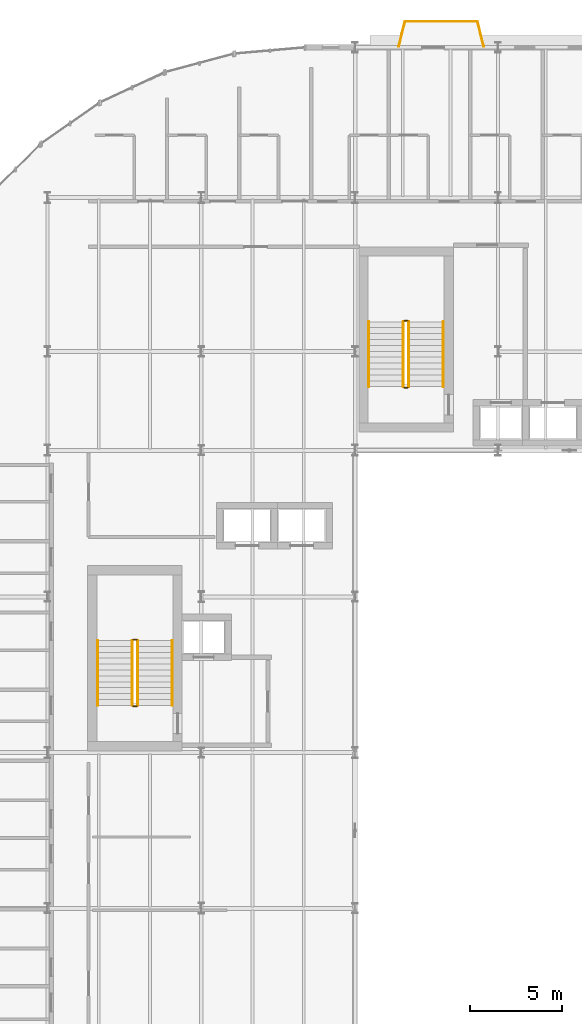
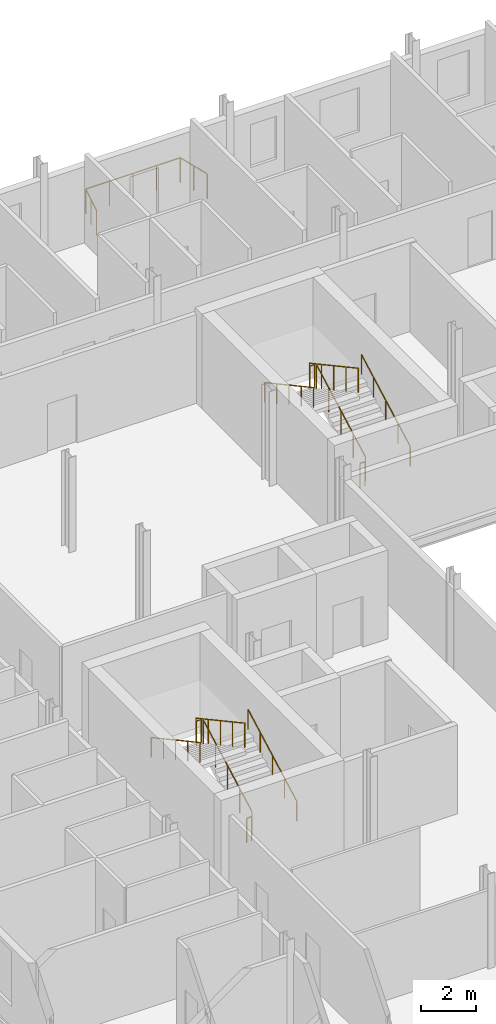
# One storey, part 42 of 45: 15 railings.
"""IFC4 building model written with IfcOpenShell, lengths in metres."""

import ifcopenshell
import ifcopenshell.guid

model = None  # the IFC model being written
_history = None  # IfcOwnerHistory: only IFC2X3 demands one
_inside = {}  # id of a spatial element -> (the spatial element, [elements in it])
_under = {}  # id of a project, library or spatial element -> (it, [spatial elements below it])
_declared = {}  # id of a project -> (the project, [libraries it declares])
_typed = {}  # id of a type object -> (the type object, [elements of that type])
_made_of = {}  # id of a material, layer set ... -> (it, [elements and type objects made of it])


def new_model(schema):
    """Start an empty IFC model of exactly this schema.

    Asked for "IFC4X3", IfcOpenShell would pick the latest addendum, in which some entities
    have other attributes; the version numbers below select the first issue.
    IFC2X3 requires an IfcOwnerHistory on every rooted entity: one is made here for all.
    """
    global model, _history
    if schema == "IFC4X3":
        model = ifcopenshell.file(schema_version=(4, 3, 0, 0))
    else:
        model = ifcopenshell.file(schema=schema)
    _inside.clear()
    _under.clear()
    _declared.clear()
    _typed.clear()
    _made_of.clear()
    _history = None
    if model.schema == "IFC2X3":
        org = make("IfcOrganization", Name="unknown")
        user = make(
            "IfcPersonAndOrganization",
            ThePerson=make("IfcPerson", FamilyName="unknown"),
            TheOrganization=org,
        )
        app = make(
            "IfcApplication",
            ApplicationDeveloper=org,
            Version="unknown",
            ApplicationFullName="unknown",
            ApplicationIdentifier="unknown",
        )
        _history = make(
            "IfcOwnerHistory",
            OwningUser=user,
            OwningApplication=app,
            ChangeAction="ADDED",
            CreationDate=0,
        )
    return model


def make(cls, **values):
    """One entity of the class cls with the attributes given. An attribute that is None is left unset."""
    return model.create_entity(
        cls, **{name: value for name, value in values.items() if value is not None}
    )


def rooted(cls, **values):
    """An entity with a GlobalId (a new one), such as an element, a storey or a relation."""
    return make(cls, GlobalId=ifcopenshell.guid.new(), OwnerHistory=_history, **values)


def si_unit(unit_type, name, prefix=None):
    """IfcSIUnit, for example si_unit("LENGTHUNIT", "METRE", prefix="MILLI")."""
    return make("IfcSIUnit", UnitType=unit_type, Prefix=prefix, Name=name)


def assignment(units):
    """IfcUnitAssignment: the units of a project."""
    return None if units is None else make("IfcUnitAssignment", Units=units)


def point(xyz):
    """IfcCartesianPoint."""
    return None if xyz is None else make("IfcCartesianPoint", Coordinates=xyz)


def direction(xyz):
    """IfcDirection."""
    return None if xyz is None else make("IfcDirection", DirectionRatios=xyz)


def frame(location, z_axis=None, x_axis=None):
    """IfcAxis2Placement3D, a coordinate frame: its origin and axes. An axis left out is left unset."""
    return make(
        "IfcAxis2Placement3D",
        Location=point(location),
        Axis=direction(z_axis),
        RefDirection=direction(x_axis),
    )


def frame_2d(location, x_axis=None):
    """IfcAxis2Placement2D, a coordinate frame in the plane: its origin and x axis."""
    return make(
        "IfcAxis2Placement2D", Location=point(location), RefDirection=direction(x_axis)
    )


def origin():
    """The frame at (0, 0, 0) with its axes left unset."""
    return frame((0.0, 0.0, 0.0))


def origin_2d():
    """The frame at (0, 0) in the plane with its x axis left unset."""
    return frame_2d((0.0, 0.0))


def place(relative_to, where):
    """IfcLocalPlacement: puts the frame where relative to a parent placement (None: the world)."""
    return make(
        "IfcLocalPlacement", PlacementRelTo=relative_to, RelativePlacement=where
    )


def context(
    kind, dimensions, precision=None, world=None, true_north=None, identifier=None
):
    """IfcGeometricRepresentationContext, for example the 3D "Model" context."""
    return make(
        "IfcGeometricRepresentationContext",
        ContextIdentifier=identifier,
        ContextType=kind,
        CoordinateSpaceDimension=dimensions,
        Precision=precision,
        WorldCoordinateSystem=world,
        TrueNorth=true_north,
    )


def subcontext(parent, identifier, kind, view, scale=None):
    """IfcGeometricRepresentationSubContext, for example "Body" below "Model"."""
    return make(
        "IfcGeometricRepresentationSubContext",
        ContextIdentifier=identifier,
        ContextType=kind,
        ParentContext=parent,
        TargetScale=scale,
        TargetView=view,
    )


def project(units=None, contexts=None):
    """IfcProject with its units and contexts."""
    return rooted(
        "IfcProject",
        Name="project",
        RepresentationContexts=contexts,
        UnitsInContext=assignment(units),
    )


def spatial(cls, under=None, at=None, **own):
    """A site, building, storey or space (cls), placed at a placement, below another one or the project."""
    s = rooted(cls, ObjectPlacement=at, **own)
    if under is not None:
        _under.setdefault(under.id(), (under, []))[1].append(s)
    return s


def profile(cls, at=None, kind="AREA", **sizes):
    """A parametric profile (cls). Its sizes go by their IFC names, for example OverallWidth=200.0."""
    return make(cls, ProfileType=kind, Position=at, **sizes)


def circle(**sizes):
    """IfcCircleProfileDef."""
    return profile("IfcCircleProfileDef", **sizes)


def extrude(swept, where, along, depth):
    """IfcExtrudedAreaSolid: the profile swept, set in the frame where, extruded along a direction by depth."""
    return make(
        "IfcExtrudedAreaSolid",
        SweptArea=swept,
        Position=where,
        ExtrudedDirection=direction(along),
        Depth=depth,
    )


def shape(context_of_items, identifier, shape_type, items):
    """IfcShapeRepresentation: the items that make up one representation, for example the "Body"."""
    return make(
        "IfcShapeRepresentation",
        ContextOfItems=context_of_items,
        RepresentationIdentifier=identifier,
        RepresentationType=shape_type,
        Items=items,
    )


def material(Name=None, Category=None):
    """IfcMaterial."""
    return make("IfcMaterial", Name=Name, Category=Category)


def made_of(thing, what):
    """Note that an element or type object is made of a material, layer set ...; save() writes the relation."""
    if what is not None:
        _made_of.setdefault(what.id(), (what, []))[1].append(thing)
    return thing


def type_object(cls, material=None, **own):
    """A type object (cls), such as IfcWallType, which elements share."""
    return made_of(rooted(cls, **own), material)


def element(
    cls,
    number,
    at=None,
    inside=None,
    cuts=None,
    type_object=None,
    material=None,
    context=None,
    identifier="Body",
    shape_type=None,
    held_by="IfcProductDefinitionShape",
    body=None,
    shapes=None,
    **own,
):
    """One element of the class cls, such as IfcWall. Its Tag is "e" and its number.

    at: its placement. inside: the storey or other place that contains it. cuts: it is an
    opening in that element (IfcRelVoidsElement). A single representation is given by context,
    identifier, shape_type and body (its items); several are given by shapes. held_by: the class
    of the entity that holds the representations. save() writes the other relations.
    """
    e = rooted(cls, Tag="e%d" % number, ObjectPlacement=at, **own)
    if body is not None:
        shapes = [shape(context, identifier, shape_type, body)]
    if shapes is not None:
        e.Representation = make(held_by, Representations=shapes)
    if inside is not None:
        _inside.setdefault(inside.id(), (inside, []))[1].append(e)
    if cuts is not None:
        rooted(
            "IfcRelVoidsElement", RelatingBuildingElement=cuts, RelatedOpeningElement=e
        )
    if type_object is not None:
        _typed.setdefault(type_object.id(), (type_object, []))[1].append(e)
    return made_of(e, material)


def aggregate(whole, parts):
    """IfcRelAggregates: a whole, such as a stair, and the parts it consists of."""
    return rooted("IfcRelAggregates", RelatingObject=whole, RelatedObjects=parts)


def save(model, path):
    """Write the relations noted so far, then the file.

    IfcRelAggregates (storeys below a building ...), IfcRelContainedInSpatialStructure (elements
    in a storey), IfcRelDefinesByType, IfcRelAssociatesMaterial and IfcRelDeclares: one each for
    every whole, place, type object, material and project.
    """
    for whole, parts in _under.values():
        aggregate(whole, parts)
    for where, things in _inside.values():
        rooted(
            "IfcRelContainedInSpatialStructure",
            RelatedElements=things,
            RelatingStructure=where,
        )
    for kind, things in _typed.values():
        rooted("IfcRelDefinesByType", RelatedObjects=things, RelatingType=kind)
    for what, things in _made_of.values():
        rooted("IfcRelAssociatesMaterial", RelatedObjects=things, RelatingMaterial=what)
    for by, libraries in _declared.values():
        rooted("IfcRelDeclares", RelatingContext=by, RelatedDefinitions=libraries)
    model.write(path)


model = new_model("IFC4")

# Units and contexts
model_context = context("Model", 3, precision=1e-05, world=origin(), true_north=direction((0.0, 1.0)))
body_context = subcontext(model_context, "Body", "Model", "MODEL_VIEW")
ifc_project = project(units=[si_unit("LENGTHUNIT", "METRE"), si_unit("AREAUNIT", "SQUARE_METRE"), si_unit("VOLUMEUNIT", "CUBIC_METRE"), si_unit("PLANEANGLEUNIT", "RADIAN"), si_unit("MASSUNIT", "GRAM", prefix="KILO")], contexts=[model_context])

# Site, building, storey
site_placement = place(None, origin())
site = spatial("IfcSite", under=ifc_project, at=site_placement, CompositionType="ELEMENT")
building_placement = place(site_placement, origin())
building = spatial("IfcBuilding", under=site, at=building_placement, Name="Sefraquen Railside Congress Hotel", CompositionType="ELEMENT")
storey_placement = place(building_placement, frame((0.0, 0.0, 20.39990234375)))
storey = spatial("IfcBuildingStorey", under=building, at=storey_placement, Name="L04", CompositionType="ELEMENT", Elevation=20.39990234375)

# Railings
ifc_material = material(Name="Patinated wrought architectural bronze", Category="metal")
railing_type_1 = type_object("IfcRailingType", Name="TRL-BAL-110", PredefinedType="BALUSTRADE", material=ifc_material)
railing_1_placement = place(storey_placement, frame((27.580078125, 118.050048828125, 0.0)))
element("IfcRailing", 1, at=railing_1_placement, inside=storey, type_object=railing_type_1, Name="Guest balcony Art Nouveau balustrade L04-01", PredefinedType="BALUSTRADE", context=body_context, shape_type="SweptSolid", body=[
    extrude(circle(Radius=0.02392578125, at=origin_2d()), frame((0.0, 0.0, 1.09619140625), z_axis=(0.240785102022, 0.970578453627, 0.0), x_axis=(-0.970578453627, 0.240785102022, 0.0)), (0.0, 0.0, 1.0), 1.411376953125),
    extrude(circle(Radius=0.02099609375, at=origin_2d()), origin(), (0.0, 0.0, 1.0), 1.072021484375),
    extrude(circle(Radius=0.02099609375, at=origin_2d()), frame((0.169921875, 0.68505859375, 0.0)), (0.0, 0.0, 1.0), 1.072021484375),
    extrude(circle(Radius=0.02099609375, at=origin_2d()), frame((0.33984375, 1.369873046875, 0.0)), (0.0, 0.0, 1.0), 1.072021484375),
])
railing_2_placement = place(storey_placement, frame((27.919921875, 119.419921875, 0.0)))
element("IfcRailing", 2, at=railing_2_placement, inside=storey, type_object=railing_type_1, Name="Guest balcony Art Nouveau balustrade L04-01", PredefinedType="BALUSTRADE", context=body_context, shape_type="SweptSolid", body=[
    extrude(circle(Radius=0.02392578125, at=origin_2d()), frame((0.0, 0.0, 1.09619140625), z_axis=(1.0, 0.0, 0.0), x_axis=(0.0, 1.0, 0.0)), (0.0, 0.0, 1.0), 3.9599609375),
    extrude(circle(Radius=0.02099609375, at=origin_2d()), origin(), (0.0, 0.0, 1.0), 1.072021484375),
    extrude(circle(Radius=0.02099609375, at=origin_2d()), frame((0.989990234375, 0.0, 0.0)), (0.0, 0.0, 1.0), 1.072021484375),
    extrude(circle(Radius=0.02099609375, at=origin_2d()), frame((1.97998046875, 0.0, 0.0)), (0.0, 0.0, 1.0), 1.072021484375),
    extrude(circle(Radius=0.02099609375, at=origin_2d()), frame((2.969970703125, 0.0, 0.0)), (0.0, 0.0, 1.0), 1.072021484375),
    extrude(circle(Radius=0.02099609375, at=origin_2d()), frame((3.9599609375, 0.0, 0.0)), (0.0, 0.0, 1.0), 1.072021484375),
])
railing_3_placement = place(storey_placement, frame((31.8798828125, 119.419921875, 0.0)))
element("IfcRailing", 3, at=railing_3_placement, inside=storey, type_object=railing_type_1, Name="Guest balcony Art Nouveau balustrade L04-01", PredefinedType="BALUSTRADE", context=body_context, shape_type="SweptSolid", body=[
    extrude(circle(Radius=0.02392578125, at=origin_2d()), frame((0.0, 0.0, 1.09619140625), z_axis=(0.240948040829, -0.970538016577, 0.0), x_axis=(0.970538016577, 0.240948040829, 0.0)), (0.0, 0.0, 1.0), 1.411376953125),
    extrude(circle(Radius=0.02099609375, at=origin_2d()), origin(), (0.0, 0.0, 1.0), 1.072021484375),
    extrude(circle(Radius=0.02099609375, at=origin_2d()), frame((0.169921875, -0.68505859375, 0.0)), (0.0, 0.0, 1.0), 1.072021484375),
    extrude(circle(Radius=0.02099609375, at=origin_2d()), frame((0.340087890625, -1.369873046875, 0.0)), (0.0, 0.0, 1.0), 1.072021484375),
])
railing_4_placement = place(storey_placement, frame((13.330078125, 82.080078125, 0.175048828125)))
element("IfcRailing", 4, at=railing_4_placement, inside=storey, type_object=railing_type_1, Name="L04 ST-H01 stair guard 1", PredefinedType="BALUSTRADE", context=body_context, shape_type="SweptSolid", body=[
    extrude(circle(Radius=0.02392578125, at=origin_2d()), frame((0.0, 0.0, 1.076171875), z_axis=(0.0, 0.878618985891, 0.477523483854), x_axis=(-1.0, 0.0, 0.0)), (0.0, 0.0, 1.0), 4.03125),
    extrude(circle(Radius=0.02099609375, at=origin_2d()), origin(), (0.0, 0.0, 1.0), 1.052001953125),
    extrude(circle(Radius=0.02099609375, at=origin_2d()), frame((0.0, 0.885498046875, 0.481201171875)), (0.0, 0.0, 1.0), 1.052001953125),
    extrude(circle(Radius=0.02099609375, at=origin_2d()), frame((0.0, 1.77099609375, 0.96240234375)), (0.0, 0.0, 1.0), 1.052001953125),
    extrude(circle(Radius=0.02099609375, at=origin_2d()), frame((0.0, 2.656494140625, 1.44384765625)), (0.0, 0.0, 1.0), 1.052001953125),
    extrude(circle(Radius=0.02099609375, at=origin_2d()), frame((0.0, 3.5419921875, 1.925048828125)), (0.0, 0.0, 1.0), 1.052001953125),
])
railing_5_placement = place(storey_placement, frame((13.280029296875, 85.672119140625, 2.10009765625)))
element("IfcRailing", 5, at=railing_5_placement, inside=storey, type_object=railing_type_1, Name="L04 ST-H01 stair guard 2", PredefinedType="BALUSTRADE", context=body_context, shape_type="SweptSolid", body=[
    extrude(circle(Radius=0.02392578125, at=origin_2d()), frame((0.0, 0.0, 1.076171875), z_axis=(-1.0, 0.0, 0.0), x_axis=(0.0, -1.0, 0.0)), (0.0, 0.0, 1.0), 0.199951171875),
    extrude(circle(Radius=0.02099609375, at=origin_2d()), origin(), (0.0, 0.0, 1.0), 1.052001953125),
    extrude(circle(Radius=0.02099609375, at=origin_2d()), frame((-0.199951171875, 0.0, 0.0)), (0.0, 0.0, 1.0), 1.052001953125),
])
railing_6_placement = place(storey_placement, frame((13.030029296875, 85.6220703125, 2.275146484375)))
element("IfcRailing", 6, at=railing_6_placement, inside=storey, type_object=railing_type_1, Name="L04 ST-H01 stair guard 3", PredefinedType="BALUSTRADE", context=body_context, shape_type="SweptSolid", body=[
    extrude(circle(Radius=0.02392578125, at=origin_2d()), frame((0.0, 0.0, 1.076171875), z_axis=(0.0, -0.878618985891, 0.477523483854), x_axis=(1.0, 0.0, 0.0)), (0.0, 0.0, 1.0), 4.03125),
    extrude(circle(Radius=0.02099609375, at=origin_2d()), origin(), (0.0, 0.0, 1.0), 1.052001953125),
    extrude(circle(Radius=0.02099609375, at=origin_2d()), frame((0.0, -0.885498046875, 0.481201171875)), (0.0, 0.0, 1.0), 1.052001953125),
    extrude(circle(Radius=0.02099609375, at=origin_2d()), frame((0.0, -1.77099609375, 0.96240234375)), (0.0, 0.0, 1.0), 1.052001953125),
    extrude(circle(Radius=0.02099609375, at=origin_2d()), frame((0.0, -2.656494140625, 1.44384765625)), (0.0, 0.0, 1.0), 1.052001953125),
    extrude(circle(Radius=0.02099609375, at=origin_2d()), frame((0.0, -3.5419921875, 1.925048828125)), (0.0, 0.0, 1.0), 1.052001953125),
])
railing_7_placement = place(storey_placement, frame((13.280029296875, 82.030029296875, 0.0)))
element("IfcRailing", 7, at=railing_7_placement, inside=storey, type_object=railing_type_1, Name="L04 ST-H01 stair guard 4", PredefinedType="BALUSTRADE", context=body_context, shape_type="SweptSolid", body=[
    extrude(circle(Radius=0.02392578125, at=origin_2d()), frame((0.0, 0.0, 1.076171875), z_axis=(-1.0, 0.0, 0.0), x_axis=(0.0, -1.0, 0.0)), (0.0, 0.0, 1.0), 0.199951171875),
    extrude(circle(Radius=0.02099609375, at=origin_2d()), origin(), (0.0, 0.0, 1.0), 1.052001953125),
    extrude(circle(Radius=0.02099609375, at=origin_2d()), frame((-0.199951171875, 0.0, 0.0)), (0.0, 0.0, 1.0), 1.052001953125),
])
railing_8_placement = place(storey_placement, frame((28.1298828125, 99.47998046875, 0.175048828125)))
element("IfcRailing", 8, at=railing_8_placement, inside=storey, type_object=railing_type_1, Name="L04 ST-H02 stair guard 1", PredefinedType="BALUSTRADE", context=body_context, shape_type="SweptSolid", body=[
    extrude(circle(Radius=0.02392578125, at=origin_2d()), frame((0.0, 0.0, 1.076171875), z_axis=(0.0, 0.878618985891, 0.477523483854), x_axis=(-1.0, 0.0, 0.0)), (0.0, 0.0, 1.0), 4.03125),
    extrude(circle(Radius=0.02099609375, at=origin_2d()), origin(), (0.0, 0.0, 1.0), 1.052001953125),
    extrude(circle(Radius=0.02099609375, at=origin_2d()), frame((0.0, 0.885498046875, 0.481201171875)), (0.0, 0.0, 1.0), 1.052001953125),
    extrude(circle(Radius=0.02099609375, at=origin_2d()), frame((0.0, 1.77099609375, 0.96240234375)), (0.0, 0.0, 1.0), 1.052001953125),
    extrude(circle(Radius=0.02099609375, at=origin_2d()), frame((0.0, 2.656494140625, 1.44384765625)), (0.0, 0.0, 1.0), 1.052001953125),
    extrude(circle(Radius=0.02099609375, at=origin_2d()), frame((0.0, 3.5419921875, 1.925048828125)), (0.0, 0.0, 1.0), 1.052001953125),
])
railing_9_placement = place(storey_placement, frame((28.080078125, 103.072021484375, 2.10009765625)))
element("IfcRailing", 9, at=railing_9_placement, inside=storey, type_object=railing_type_1, Name="L04 ST-H02 stair guard 2", PredefinedType="BALUSTRADE", context=body_context, shape_type="SweptSolid", body=[
    extrude(circle(Radius=0.02392578125, at=origin_2d()), frame((0.0, 0.0, 1.076171875), z_axis=(-1.0, 0.0, 0.0), x_axis=(0.0, -1.0, 0.0)), (0.0, 0.0, 1.0), 0.2001953125),
    extrude(circle(Radius=0.02099609375, at=origin_2d()), origin(), (0.0, 0.0, 1.0), 1.052001953125),
    extrude(circle(Radius=0.02099609375, at=origin_2d()), frame((-0.2001953125, 0.0, 0.0)), (0.0, 0.0, 1.0), 1.052001953125),
])
railing_10_placement = place(storey_placement, frame((27.830078125, 103.02197265625, 2.275146484375)))
element("IfcRailing", 10, at=railing_10_placement, inside=storey, type_object=railing_type_1, Name="L04 ST-H02 stair guard 3", PredefinedType="BALUSTRADE", context=body_context, shape_type="SweptSolid", body=[
    extrude(circle(Radius=0.02392578125, at=origin_2d()), frame((0.0, 0.0, 1.076171875), z_axis=(0.0, -0.878618985891, 0.477523483854), x_axis=(1.0, 0.0, 0.0)), (0.0, 0.0, 1.0), 4.03125),
    extrude(circle(Radius=0.02099609375, at=origin_2d()), origin(), (0.0, 0.0, 1.0), 1.052001953125),
    extrude(circle(Radius=0.02099609375, at=origin_2d()), frame((0.0, -0.885498046875, 0.481201171875)), (0.0, 0.0, 1.0), 1.052001953125),
    extrude(circle(Radius=0.02099609375, at=origin_2d()), frame((0.0, -1.77099609375, 0.96240234375)), (0.0, 0.0, 1.0), 1.052001953125),
    extrude(circle(Radius=0.02099609375, at=origin_2d()), frame((0.0, -2.656494140625, 1.44384765625)), (0.0, 0.0, 1.0), 1.052001953125),
    extrude(circle(Radius=0.02099609375, at=origin_2d()), frame((0.0, -3.5419921875, 1.925048828125)), (0.0, 0.0, 1.0), 1.052001953125),
])
railing_11_placement = place(storey_placement, frame((28.080078125, 99.429931640625, 0.0)))
element("IfcRailing", 11, at=railing_11_placement, inside=storey, type_object=railing_type_1, Name="L04 ST-H02 stair guard 4", PredefinedType="BALUSTRADE", context=body_context, shape_type="SweptSolid", body=[
    extrude(circle(Radius=0.02392578125, at=origin_2d()), frame((0.0, 0.0, 1.076171875), z_axis=(-1.0, 0.0, 0.0), x_axis=(0.0, -1.0, 0.0)), (0.0, 0.0, 1.0), 0.2001953125),
    extrude(circle(Radius=0.02099609375, at=origin_2d()), origin(), (0.0, 0.0, 1.0), 1.052001953125),
    extrude(circle(Radius=0.02099609375, at=origin_2d()), frame((-0.2001953125, 0.0, 0.0)), (0.0, 0.0, 1.0), 1.052001953125),
])
railing_type_2 = type_object("IfcRailingType", Name="TRL-HR-090", PredefinedType="HANDRAIL", material=ifc_material)
railing_12_placement = place(storey_placement, frame((15.2099609375, 82.080078125, 0.175048828125)))
element("IfcRailing", 12, at=railing_12_placement, inside=storey, type_object=railing_type_2, Name="L04 ST-H01 stair handrail 1", PredefinedType="HANDRAIL", context=body_context, shape_type="SweptSolid", body=[
    extrude(circle(Radius=0.02392578125, at=origin_2d()), frame((0.0, 0.0, 0.8759765625), z_axis=(0.0, 0.878618985891, 0.477523483854), x_axis=(-1.0, 0.0, 0.0)), (0.0, 0.0, 1.0), 4.03125),
    extrude(circle(Radius=0.02099609375, at=origin_2d()), origin(), (0.0, 0.0, 1.0), 0.851806640625),
    extrude(circle(Radius=0.02099609375, at=origin_2d()), frame((0.0, 0.885498046875, 0.481201171875)), (0.0, 0.0, 1.0), 0.851806640625),
    extrude(circle(Radius=0.02099609375, at=origin_2d()), frame((0.0, 1.77099609375, 0.96240234375)), (0.0, 0.0, 1.0), 0.851806640625),
    extrude(circle(Radius=0.02099609375, at=origin_2d()), frame((0.0, 2.656494140625, 1.44384765625)), (0.0, 0.0, 1.0), 0.851806640625),
    extrude(circle(Radius=0.02099609375, at=origin_2d()), frame((0.0, 3.5419921875, 1.925048828125)), (0.0, 0.0, 1.0), 0.851806640625),
])
railing_13_placement = place(storey_placement, frame((11.14990234375, 85.6220703125, 2.275146484375)))
element("IfcRailing", 13, at=railing_13_placement, inside=storey, type_object=railing_type_2, Name="L04 ST-H01 stair handrail 2", PredefinedType="HANDRAIL", context=body_context, shape_type="SweptSolid", body=[
    extrude(circle(Radius=0.02392578125, at=origin_2d()), frame((0.0, 0.0, 0.8759765625), z_axis=(0.0, -0.878618985891, 0.477523483854), x_axis=(1.0, 0.0, 0.0)), (0.0, 0.0, 1.0), 4.03125),
    extrude(circle(Radius=0.02099609375, at=origin_2d()), origin(), (0.0, 0.0, 1.0), 0.851806640625),
    extrude(circle(Radius=0.02099609375, at=origin_2d()), frame((0.0, -0.885498046875, 0.481201171875)), (0.0, 0.0, 1.0), 0.851806640625),
    extrude(circle(Radius=0.02099609375, at=origin_2d()), frame((0.0, -1.77099609375, 0.96240234375)), (0.0, 0.0, 1.0), 0.851806640625),
    extrude(circle(Radius=0.02099609375, at=origin_2d()), frame((0.0, -2.656494140625, 1.44384765625)), (0.0, 0.0, 1.0), 0.851806640625),
    extrude(circle(Radius=0.02099609375, at=origin_2d()), frame((0.0, -3.5419921875, 1.925048828125)), (0.0, 0.0, 1.0), 0.851806640625),
])
railing_14_placement = place(storey_placement, frame((30.010009765625, 99.47998046875, 0.175048828125)))
element("IfcRailing", 14, at=railing_14_placement, inside=storey, type_object=railing_type_2, Name="L04 ST-H02 stair handrail 1", PredefinedType="HANDRAIL", context=body_context, shape_type="SweptSolid", body=[
    extrude(circle(Radius=0.02392578125, at=origin_2d()), frame((0.0, 0.0, 0.8759765625), z_axis=(0.0, 0.878618985891, 0.477523483854), x_axis=(-1.0, 0.0, 0.0)), (0.0, 0.0, 1.0), 4.03125),
    extrude(circle(Radius=0.02099609375, at=origin_2d()), origin(), (0.0, 0.0, 1.0), 0.851806640625),
    extrude(circle(Radius=0.02099609375, at=origin_2d()), frame((0.0, 0.885498046875, 0.481201171875)), (0.0, 0.0, 1.0), 0.851806640625),
    extrude(circle(Radius=0.02099609375, at=origin_2d()), frame((0.0, 1.77099609375, 0.96240234375)), (0.0, 0.0, 1.0), 0.851806640625),
    extrude(circle(Radius=0.02099609375, at=origin_2d()), frame((0.0, 2.656494140625, 1.44384765625)), (0.0, 0.0, 1.0), 0.851806640625),
    extrude(circle(Radius=0.02099609375, at=origin_2d()), frame((0.0, 3.5419921875, 1.925048828125)), (0.0, 0.0, 1.0), 0.851806640625),
])
railing_15_placement = place(storey_placement, frame((25.949951171875, 103.02197265625, 2.275146484375)))
element("IfcRailing", 15, at=railing_15_placement, inside=storey, type_object=railing_type_2, Name="L04 ST-H02 stair handrail 2", PredefinedType="HANDRAIL", context=body_context, shape_type="SweptSolid", body=[
    extrude(circle(Radius=0.02392578125, at=origin_2d()), frame((0.0, 0.0, 0.8759765625), z_axis=(0.0, -0.878618985891, 0.477523483854), x_axis=(1.0, 0.0, 0.0)), (0.0, 0.0, 1.0), 4.03125),
    extrude(circle(Radius=0.02099609375, at=origin_2d()), origin(), (0.0, 0.0, 1.0), 0.851806640625),
    extrude(circle(Radius=0.02099609375, at=origin_2d()), frame((0.0, -0.885498046875, 0.481201171875)), (0.0, 0.0, 1.0), 0.851806640625),
    extrude(circle(Radius=0.02099609375, at=origin_2d()), frame((0.0, -1.77099609375, 0.96240234375)), (0.0, 0.0, 1.0), 0.851806640625),
    extrude(circle(Radius=0.02099609375, at=origin_2d()), frame((0.0, -2.656494140625, 1.44384765625)), (0.0, 0.0, 1.0), 0.851806640625),
    extrude(circle(Radius=0.02099609375, at=origin_2d()), frame((0.0, -3.5419921875, 1.925048828125)), (0.0, 0.0, 1.0), 0.851806640625),
])

save(model, "model.ifc")
